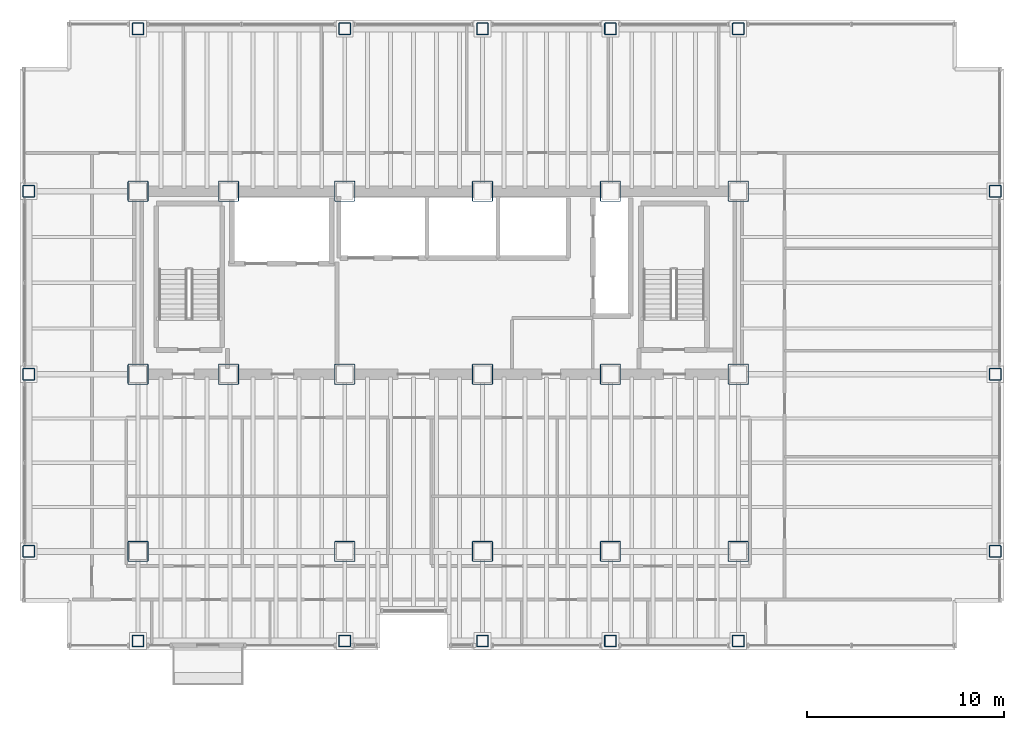
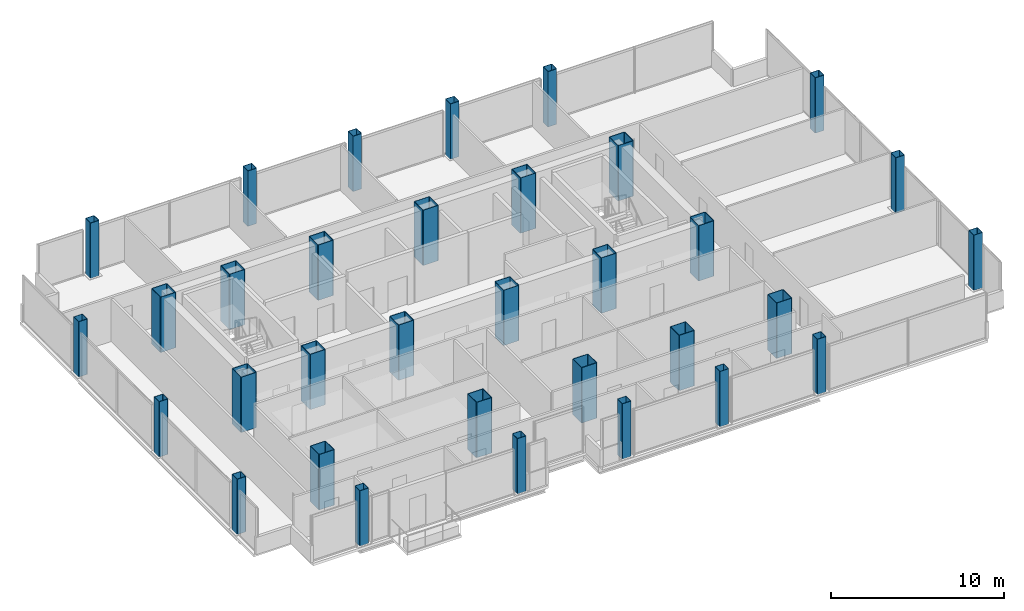
# One storey, part 1 of 20: 33 columns.
"""IFC4 building model written with IfcOpenShell, lengths in metres."""

from ifc_helpers import new_model, si_unit, direction, frame, origin, origin_2d, place, context, subcontext, project, spatial, hollow_rectangle, extrude, material, material_profile, profile_set, type_object, element, save


model = new_model("IFC4")

# Units and contexts
model_context = context("Model", 3, precision=1e-05, world=origin(), true_north=direction((0.0, 1.0)))
body_context = subcontext(model_context, "Body", "Model", "MODEL_VIEW")
ifc_project = project(units=[si_unit("LENGTHUNIT", "METRE"), si_unit("AREAUNIT", "SQUARE_METRE"), si_unit("VOLUMEUNIT", "CUBIC_METRE"), si_unit("PLANEANGLEUNIT", "RADIAN"), si_unit("MASSUNIT", "GRAM", prefix="KILO")], contexts=[model_context])

# Site, building, storey
site_placement = place(None, origin())
site = spatial("IfcSite", under=ifc_project, at=site_placement, CompositionType="ELEMENT")
building_placement = place(site_placement, origin())
building = spatial("IfcBuilding", under=site, at=building_placement, Name="Noeulbin Bourse Tower", CompositionType="ELEMENT")
storey_placement = place(building_placement, frame((0.0, 0.0, 73.300048828125)))
storey = spatial("IfcBuildingStorey", under=building, at=storey_placement, Name="L18", CompositionType="ELEMENT", Elevation=73.300048828125)

# Columns
ifc_material = material(Name="Steel S460", Category="steel")
ifc_material_profile_1 = material_profile(ifc_material, hollow_rectangle(XDim=0.60009765625, YDim=0.60009765625, WallThickness=0.02587890625, InnerFilletRadius=0.012939453125, OuterFilletRadius=0.0390625, at=origin_2d()), Name="BOX-600x600x26", Category="LoadBearing")
ifc_profile_set_1 = profile_set([ifc_material_profile_1], Name="Steel S460")
column_type_1 = type_object("IfcColumnType", Name="COL-PER-Z1", PredefinedType="COLUMN", material=ifc_profile_set_1)
for number, where, z_axis, x_axis, name in (
    (1, (7.949951171875, 20.0, 0.0), (0.0, 0.0, 1.0), (1.0, 0.0, 0.0), "Tower Perimeter Column COL-PER-Z1 01"),
    (2, (7.949951171875, 29.0, 0.0), (0.0, 0.0, 1.0), (1.0, 0.0, 0.0), "Tower Perimeter Column COL-PER-Z1 02"),
    (3, (7.949951171875, 38.300048828125, 0.0), (0.0, 0.0, 1.0), (1.0, 0.0, 0.0), "Tower Perimeter Column COL-PER-Z1 03"),
    (4, (13.5, 15.449951171875, 0.0), (0.0, 0.0, 1.0), (1.0, 0.0, 0.0), "Tower Perimeter Column COL-PER-Z1 04"),
    (5, (13.5, 46.550048828125, 0.0), (0.0, 0.0, 1.0), (1.0, 0.0, 0.0), "Tower Perimeter Column COL-PER-Z1 05"),
    (6, (24.0, 15.449951171875, 0.0), (0.0, 0.0, 1.0), (1.0, 0.0, 0.0), "Tower Perimeter Column COL-PER-Z1 06"),
    (7, (24.0, 46.550048828125, 0.0), (0.0, 0.0, 1.0), (1.0, 0.0, 0.0), "Tower Perimeter Column COL-PER-Z1 07"),
    (8, (31.0, 15.449951171875, 0.0), (0.0, 0.0, 1.0), (1.0, 0.0, 0.0), "Tower Perimeter Column COL-PER-Z1 08"),
    (9, (31.0, 46.550048828125, 0.0), (0.0, 0.0, 1.0), (1.0, 0.0, 0.0), "Tower Perimeter Column COL-PER-Z1 09"),
    (10, (37.5, 15.449951171875, 0.0), (0.0, 0.0, 1.0), (1.0, 0.0, 0.0), "Tower Perimeter Column COL-PER-Z1 10"),
    (11, (37.5, 46.550048828125, 0.0), (0.0, 0.0, 1.0), (1.0, 0.0, 0.0), "Tower Perimeter Column COL-PER-Z1 11"),
    (12, (44.0, 15.449951171875, 0.0), (0.0, 0.0, 1.0), (1.0, 0.0, 0.0), "Tower Perimeter Column COL-PER-Z1 12"),
    (13, (44.0, 46.550048828125, 0.0), (0.0, 0.0, 1.0), (1.0, 0.0, 0.0), "Tower Perimeter Column COL-PER-Z1 13"),
    (14, (57.050048828125, 20.0, 0.0), (0.0, 0.0, 1.0), (1.0, 0.0, 0.0), "Tower Perimeter Column COL-PER-Z1 14"),
    (15, (57.050048828125, 29.0, 0.0), (0.0, 0.0, 1.0), (1.0, 0.0, 0.0), "Tower Perimeter Column COL-PER-Z1 15"),
    (16, (57.050048828125, 38.300048828125, 0.0), (0.0, 0.0, 1.0), (1.0, 0.0, 0.0), "Tower Perimeter Column COL-PER-Z1 16"),
):
    element("IfcColumn", number, at=place(storey_placement, frame(where, z_axis=z_axis, x_axis=x_axis)), inside=storey, type_object=column_type_1, Name=name, PredefinedType="COLUMN", context=body_context, shape_type="SweptSolid", body=[
        extrude(hollow_rectangle(XDim=0.60009765625, YDim=0.60009765625, WallThickness=0.02587890625, InnerFilletRadius=0.012939453125, OuterFilletRadius=0.0390625, at=origin_2d()), origin(), (0.0, 0.0, 1.0), 3.89990234375),
    ])
ifc_material_profile_2 = material_profile(ifc_material, hollow_rectangle(XDim=1.050048828125, YDim=1.050048828125, WallThickness=0.0380859375, InnerFilletRadius=0.01904296875, OuterFilletRadius=0.056884765625, at=origin_2d()), Name="BOX-1050x1050x38", Category="LoadBearing")
ifc_profile_set_2 = profile_set([ifc_material_profile_2], Name="Steel S460")
column_type_2 = type_object("IfcColumnType", Name="COL-TRK-Z1", PredefinedType="COLUMN", material=ifc_profile_set_2)
for number, where, z_axis, x_axis, name in (
    (17, (13.5, 29.0, 0.0), (0.0, 0.0, 1.0), (1.0, 0.0, 0.0), "Tower Trunk Mega-Column COL-TRK-Z1 01"),
    (18, (13.5, 38.300048828125, 0.0), (0.0, 0.0, 1.0), (1.0, 0.0, 0.0), "Tower Trunk Mega-Column COL-TRK-Z1 02"),
    (19, (18.10009765625, 29.0, 0.0), (0.0, 0.0, 1.0), (1.0, 0.0, 0.0), "Tower Trunk Mega-Column COL-TRK-Z1 03"),
    (20, (18.10009765625, 38.300048828125, 0.0), (0.0, 0.0, 1.0), (1.0, 0.0, 0.0), "Tower Trunk Mega-Column COL-TRK-Z1 04"),
    (21, (24.0, 29.0, 0.0), (0.0, 0.0, 1.0), (1.0, 0.0, 0.0), "Tower Trunk Mega-Column COL-TRK-Z1 05"),
    (22, (24.0, 38.300048828125, 0.0), (0.0, 0.0, 1.0), (1.0, 0.0, 0.0), "Tower Trunk Mega-Column COL-TRK-Z1 06"),
    (23, (31.0, 29.0, 0.0), (0.0, 0.0, 1.0), (1.0, 0.0, 0.0), "Tower Trunk Mega-Column COL-TRK-Z1 07"),
    (24, (31.0, 38.300048828125, 0.0), (0.0, 0.0, 1.0), (1.0, 0.0, 0.0), "Tower Trunk Mega-Column COL-TRK-Z1 08"),
    (25, (37.5, 29.0, 0.0), (0.0, 0.0, 1.0), (1.0, 0.0, 0.0), "Tower Trunk Mega-Column COL-TRK-Z1 09"),
    (26, (37.5, 38.300048828125, 0.0), (0.0, 0.0, 1.0), (1.0, 0.0, 0.0), "Tower Trunk Mega-Column COL-TRK-Z1 10"),
    (27, (44.0, 29.0, 0.0), (0.0, 0.0, 1.0), (1.0, 0.0, 0.0), "Tower Trunk Mega-Column COL-TRK-Z1 11"),
    (28, (44.0, 38.300048828125, 0.0), (0.0, 0.0, 1.0), (1.0, 0.0, 0.0), "Tower Trunk Mega-Column COL-TRK-Z1 12"),
    (29, (13.5, 20.0, 0.0), (0.0, 0.0, 1.0), (1.0, 0.0, 0.0), "Tower Trunk Mega-Column COL-TRK-Z1 13"),
    (30, (24.0, 20.0, 0.0), (0.0, 0.0, 1.0), (1.0, 0.0, 0.0), "Tower Trunk Mega-Column COL-TRK-Z1 14"),
    (31, (31.0, 20.0, 0.0), (0.0, 0.0, 1.0), (1.0, 0.0, 0.0), "Tower Trunk Mega-Column COL-TRK-Z1 15"),
    (32, (37.5, 20.0, 0.0), (0.0, 0.0, 1.0), (1.0, 0.0, 0.0), "Tower Trunk Mega-Column COL-TRK-Z1 16"),
    (33, (44.0, 20.0, 0.0), (0.0, 0.0, 1.0), (1.0, 0.0, 0.0), "Tower Trunk Mega-Column COL-TRK-Z1 17"),
):
    element("IfcColumn", number, at=place(storey_placement, frame(where, z_axis=z_axis, x_axis=x_axis)), inside=storey, type_object=column_type_2, Name=name, PredefinedType="COLUMN", context=body_context, shape_type="SweptSolid", body=[
        extrude(hollow_rectangle(XDim=1.050048828125, YDim=1.050048828125, WallThickness=0.0380859375, InnerFilletRadius=0.01904296875, OuterFilletRadius=0.056884765625, at=origin_2d()), origin(), (0.0, 0.0, 1.0), 3.89990234375),
    ])

save(model, "model.ifc")
